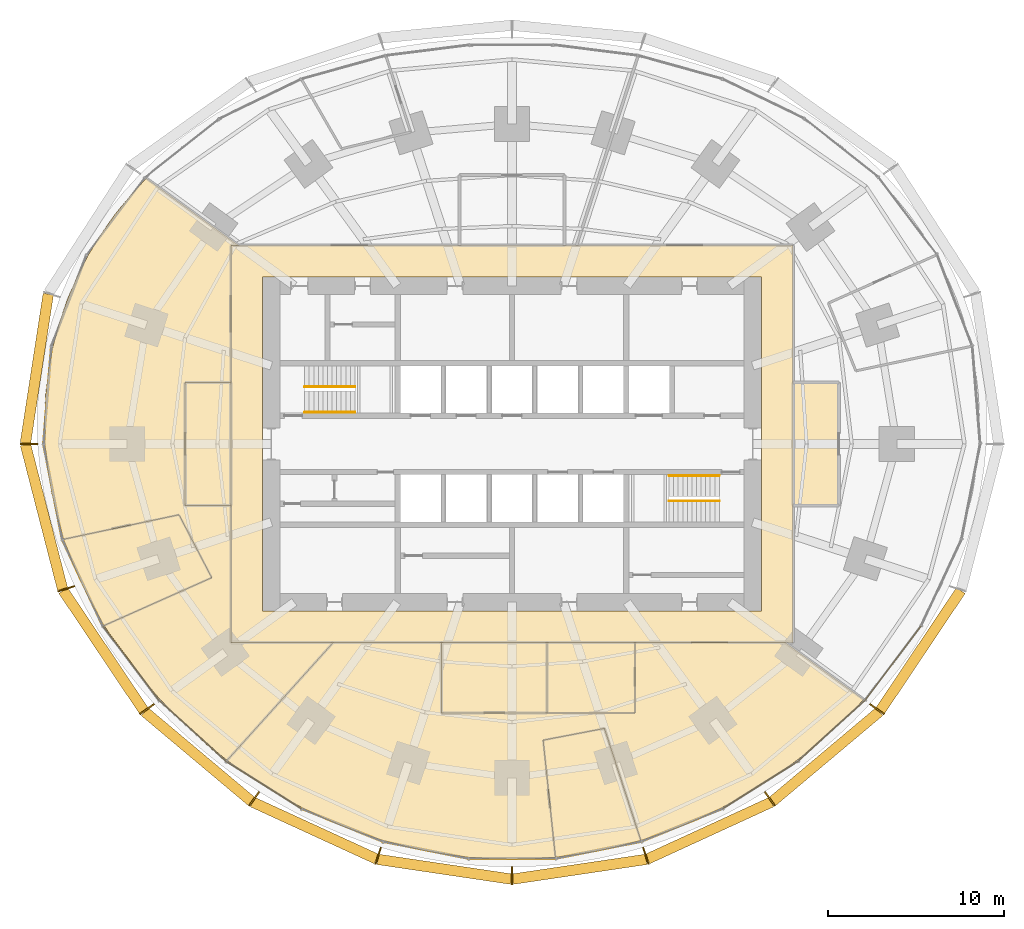
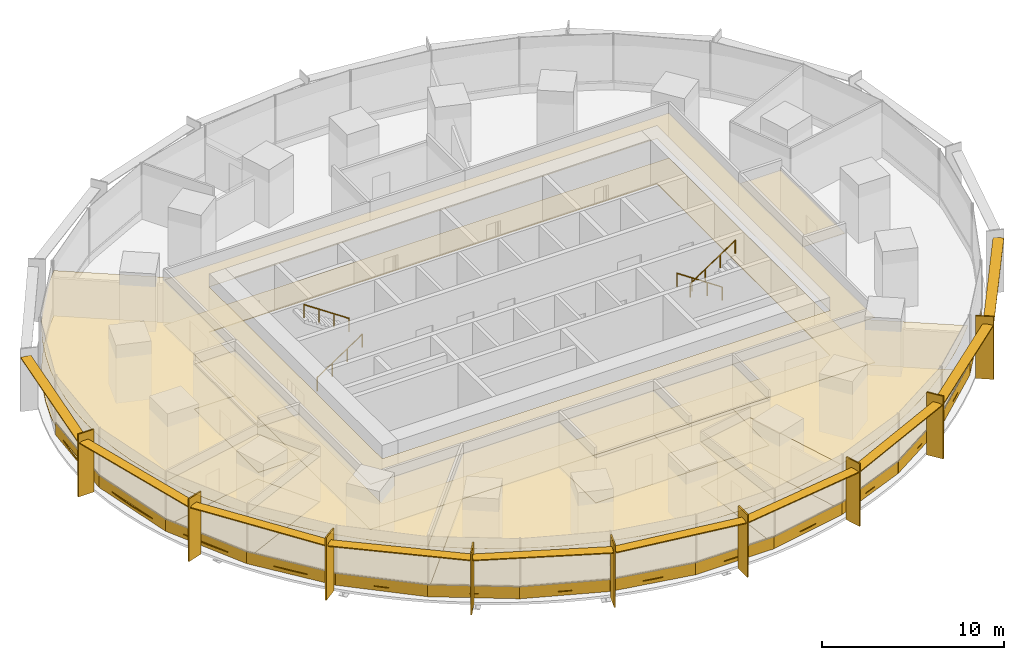
# One storey, part 14 of 15: 31 coverings, 19 shading devices, 4 railings.
"""IFC4 building model written with IfcOpenShell, lengths in metres."""

from ifc_helpers import new_model, si_unit, direction, frame, origin, origin_2d, place, context, subcontext, project, spatial, polyline, rectangle, circle, outline, extrude, material, layer, layer_set, type_object, element, save


model = new_model("IFC4")

# Units and contexts
model_context = context("Model", 3, precision=1e-05, world=origin(), true_north=direction((0.0, 1.0)))
body_context = subcontext(model_context, "Body", "Model", "MODEL_VIEW")
ifc_project = project(units=[si_unit("LENGTHUNIT", "METRE"), si_unit("AREAUNIT", "SQUARE_METRE"), si_unit("VOLUMEUNIT", "CUBIC_METRE"), si_unit("PLANEANGLEUNIT", "RADIAN"), si_unit("MASSUNIT", "GRAM", prefix="KILO")], contexts=[model_context])

# Site, building, storey
site_placement = place(None, origin())
site = spatial("IfcSite", under=ifc_project, at=site_placement, CompositionType="ELEMENT")
building_placement = place(site_placement, origin())
building = spatial("IfcBuilding", under=site, at=building_placement, Name="Marramba Exchange Tower", CompositionType="ELEMENT")
storey_placement = place(building_placement, frame((0.0, 0.0, 74.199951171875)))
storey = spatial("IfcBuildingStorey", under=building, at=storey_placement, Name="L17", CompositionType="ELEMENT", Elevation=74.199951171875)

# Shading devices
ifc_material_1 = material(Name="Aluminium blade, timber-look bronze finish", Category="wood")
ifc_layer_1 = layer(ifc_material_1, 0.080078125)
ifc_layer_set_1 = layer_set([ifc_layer_1], Name="Floor-edge blade 1000x80")
shading_device_type_1 = type_object("IfcShadingDeviceType", Name="Floor-edge blade 1000x80", PredefinedType="USERDEFINED", material=ifc_layer_set_1)
for number, where, z_axis, x_axis, name in (
    (1, (-27.5, 0.0, -0.16015625), (0.0, 0.0, 1.0), (-1.0, 0.0, 0.0), "Floor-edge blade FB1 L17 TC11"),
    (2, (-25.3740234375, -8.24462890625, -0.16015625), (0.0, 0.0, 1.0), (-0.951056516295, -0.309016994375, 0.0), "Floor-edge blade FB1 L17 TC12"),
    (3, (-20.773193359375, -15.092529296875, -0.16015625), (0.0, 0.0, 1.0), (-0.809016994375, -0.587785252292, 0.0), "Floor-edge blade FB1 L17 TC13"),
    (4, (-14.6787109375, -20.20361328125, -0.16015625), (0.0, 0.0, 1.0), (-0.587785252292, -0.809016994375, 0.0), "Floor-edge blade FB1 L17 TC14"),
    (5, (-7.61767578125, -23.444580078125, -0.16015625), (0.0, 0.0, 1.0), (-0.309016994375, -0.951056516295, 0.0), "Floor-edge blade FB1 L17 TC15"),
    (6, (0.0, -24.572021484375, -0.16015625), (0.0, 0.0, 1.0), (0.0, -1.0, 0.0), "Floor-edge blade FB1 L17 TC16"),
    (7, (7.61767578125, -23.444580078125, -0.16015625), (0.0, 0.0, 1.0), (0.309016994375, -0.951056516295, 0.0), "Floor-edge blade FB1 L17 TC17"),
    (8, (14.6787109375, -20.20361328125, -0.16015625), (0.0, 0.0, 1.0), (0.587785252292, -0.809016994375, 0.0), "Floor-edge blade FB1 L17 TC18"),
    (9, (20.773193359375, -15.092529296875, -0.16015625), (0.0, 0.0, 1.0), (0.809016994375, -0.587785252292, 0.0), "Floor-edge blade FB1 L17 TC19"),
):
    element("IfcShadingDevice", number, at=place(storey_placement, frame(where, z_axis=z_axis, x_axis=x_axis)), inside=storey, type_object=shading_device_type_1, Name=name, ObjectType="FIN", PredefinedType="USERDEFINED", context=body_context, shape_type="SweptSolid", body=[
        extrude(rectangle(XDim=1.0, YDim=0.080078125, at=origin_2d()), origin(), (0.0, 0.0, 1.0), 4.199951171875),
    ])

# Coverings
ifc_material_2 = material(Name="Steel raised access floor panels", Category="steel")
ifc_layer_2 = layer(ifc_material_2, 0.050048828125)
ifc_layer_set_2 = layer_set([ifc_layer_2], Name="Raised access floor 300")
covering_type_1 = type_object("IfcCoveringType", Name="Raised access floor 300", PredefinedType="FLOORING", material=ifc_layer_set_2)
covering_1_placement = place(storey_placement, frame((0.0, 0.0, 0.25)))
element("IfcCovering", 10, at=covering_1_placement, inside=storey, type_object=covering_type_1, Name="Raised access floor RAF1 L17 Trading Floor 2", PredefinedType="FLOORING", context=body_context, shape_type="SweptSolid", body=[
    extrude(outline(polyline([(-16.0, 3.5), (-18.60009765625, 3.5), (-18.60009765625, -3.5), (-16.0, -3.5), (-16.0, -11.300048828125), (-10.174560546875, -11.300048828125), (-16.21435546875, -18.0078125), (-17.213623046875, -17.213623046875), (-18.1826171875, -16.371826171875), (-19.119384765625, -15.482421875), (-20.020751953125, -14.5458984375), (-20.88427734375, -13.5625), (-21.7060546875, -12.531982421875), (-22.482177734375, -11.455322265625), (-23.208251953125, -10.3330078125), (-17.08740234375, -7.60791015625), (-18.952880859375, -4.028564453125), (-25.50634765625, -5.421630859375), (-25.9013671875, -4.102294921875), (-26.213623046875, -2.755126953125), (-26.43798828125, -1.385498046875), (-26.570068359375, 0.0), (-26.6064453125, 1.394287109375), (-26.544921875, 2.7900390625), (-26.3837890625, 4.1787109375), (-26.123291015625, 5.552734375), (-25.763916015625, 6.9033203125), (-25.30859375, 8.22314453125), (-24.76025390625, 9.50439453125), (-24.12353515625, 10.740478515625), (-23.40380859375, 11.9248046875), (-22.607177734375, 13.05224609375), (-21.740478515625, 14.118408203125), (-20.810791015625, 15.119873046875), (-16.409912109375, 11.922607421875), (-15.552978515625, 11.300048828125), (-16.0, 11.300048828125), (-16.0, 3.5)])), origin(), (0.0, 0.0, 1.0), 0.050048828125),
])
covering_2_placement = place(storey_placement, frame((0.0, 0.0, 0.25)))
element("IfcCovering", 11, at=covering_2_placement, inside=storey, type_object=covering_type_1, Name="Raised access floor RAF1 L17 Trading Floor 3", PredefinedType="FLOORING", context=body_context, shape_type="SweptSolid", body=[
    extrude(outline(polyline([(20.020751953125, -14.5458984375), (19.119384765625, -15.482421875), (18.1826171875, -16.371826171875), (17.213623046875, -17.213623046875), (16.21435546875, -18.0078125), (15.1865234375, -18.75390625), (14.132080078125, -19.451171875), (13.052490234375, -20.09912109375), (11.94921875, -20.69677734375), (10.82373046875, -21.242919921875), (9.677734375, -21.736328125), (8.512451171875, -22.17578125), (7.330078125, -22.56005859375), (5.259765625, -16.18798828125), (1.771728515625, -16.857177734375), (2.47216796875, -23.5205078125), (1.2373046875, -23.611572265625), (0.0, -23.64208984375), (-1.2373046875, -23.611572265625), (-2.47216796875, -23.5205078125), (-3.701416015625, -23.368896484375), (-4.92236328125, -23.15771484375), (-6.1328125, -22.8876953125), (-7.330078125, -22.56005859375), (-8.512451171875, -22.17578125), (-9.677734375, -21.736328125), (-10.82373046875, -21.242919921875), (-11.94921875, -20.69677734375), (-13.052490234375, -20.09912109375), (-14.132080078125, -19.451171875), (-15.1865234375, -18.75390625), (-16.21435546875, -18.0078125), (-10.174560546875, -11.300048828125), (-4.0, -11.300048828125), (-4.0, -15.300048828125), (2.0, -15.300048828125), (7.0, -15.300048828125), (7.0, -11.300048828125), (15.552978515625, -11.300048828125), (20.020751953125, -14.5458984375)])), origin(), (0.0, 0.0, 1.0), 0.050048828125),
])
covering_3_placement = place(storey_placement, frame((0.0, 0.0, 0.25)))
element("IfcCovering", 12, at=covering_3_placement, inside=storey, type_object=covering_type_1, Name="Raised access floor RAF1 L17 Corridor", PredefinedType="FLOORING", context=body_context, shape_type="SweptSolid", body=[
    extrude(outline(polyline([(-16.0, 11.300048828125), (16.0, 11.300048828125), (16.0, -11.300048828125), (-16.0, -11.300048828125), (-16.0, 11.300048828125)]), holes=[polyline([(-14.199951171875, 9.5), (-14.199951171875, -9.5), (14.199951171875, -9.5), (14.199951171875, 9.5), (-14.199951171875, 9.5)])]), origin(), (0.0, 0.0, 1.0), 0.050048828125),
])
covering_4_placement = place(storey_placement, frame((0.0, 0.0, 0.25)))
element("IfcCovering", 13, at=covering_4_placement, inside=storey, type_object=covering_type_1, Name="Raised access floor RAF1 L17 Firm Principal Office 2", PredefinedType="FLOORING", context=body_context, shape_type="SweptSolid", body=[
    extrude(outline(polyline([(-23.879150390625, -9.166259765625), (-24.489501953125, -7.95703125), (-24.8916015625, -7.0341796875), (-25.033935546875, -6.707763671875), (-25.50634765625, -5.421630859375), (-18.952880859375, -4.028564453125), (-17.08740234375, -7.60791015625), (-23.208251953125, -10.3330078125), (-23.879150390625, -9.166259765625)])), origin(), (0.0, 0.0, 1.0), 0.050048828125),
])
covering_5_placement = place(storey_placement, frame((0.0, 0.0, 0.25)))
element("IfcCovering", 14, at=covering_5_placement, inside=storey, type_object=covering_type_1, Name="Raised access floor RAF1 L17 Firm Principal Office 3", PredefinedType="FLOORING", context=body_context, shape_type="SweptSolid", body=[
    extrude(outline(polyline([(6.1328125, -22.8876953125), (5.89111328125, -22.941650390625), (4.92236328125, -23.15771484375), (4.17138671875, -23.28759765625), (3.701416015625, -23.368896484375), (2.47216796875, -23.5205078125), (1.771728515625, -16.857177734375), (5.259765625, -16.18798828125), (7.330078125, -22.56005859375), (6.1328125, -22.8876953125)])), origin(), (0.0, 0.0, 1.0), 0.050048828125),
])
covering_6_placement = place(storey_placement, frame((0.0, 0.0, 0.25)))
element("IfcCovering", 15, at=covering_6_placement, inside=storey, type_object=covering_type_1, Name="Raised access floor RAF1 L17 Data Room 2", PredefinedType="FLOORING", context=body_context, shape_type="SweptSolid", body=[
    extrude(outline(polyline([(-16.0, -3.5), (-18.60009765625, -3.5), (-18.60009765625, 3.5), (-16.0, 3.5), (-16.0, -3.5)])), origin(), (0.0, 0.0, 1.0), 0.050048828125),
])
covering_7_placement = place(storey_placement, frame((0.0, 0.0, 0.25)))
element("IfcCovering", 16, at=covering_7_placement, inside=storey, type_object=covering_type_1, Name="Raised access floor RAF1 L17 Meeting Room 2", PredefinedType="FLOORING", context=body_context, shape_type="SweptSolid", body=[
    extrude(outline(polyline([(2.0, -15.300048828125), (-4.0, -15.300048828125), (-4.0, -11.300048828125), (2.0, -11.300048828125), (2.0, -15.300048828125)])), origin(), (0.0, 0.0, 1.0), 0.050048828125),
])
covering_8_placement = place(storey_placement, frame((0.0, 0.0, 0.25)))
element("IfcCovering", 17, at=covering_8_placement, inside=storey, type_object=covering_type_1, Name="Raised access floor RAF1 L17 Pantry", PredefinedType="FLOORING", context=body_context, shape_type="SweptSolid", body=[
    extrude(outline(polyline([(7.0, -15.300048828125), (2.0, -15.300048828125), (2.0, -11.300048828125), (7.0, -11.300048828125), (7.0, -15.300048828125)])), origin(), (0.0, 0.0, 1.0), 0.050048828125),
])

# Shading devices
ifc_material_3 = material(Name="Aluminium sunshade, bronze anodised", Category="aluminium")
ifc_layer_3 = layer(ifc_material_3, 0.06005859375)
ifc_layer_set_3 = layer_set([ifc_layer_3], Name="SUNSHADE blade 600x60")
shading_device_type_2 = type_object("IfcShadingDeviceType", Name="SUNSHADE blade 600x60", PredefinedType="USERDEFINED", material=ifc_layer_set_3)
shading_device_1_placement = place(storey_placement, frame((-27.04150390625, 4.2861328125, 3.4599609375), z_axis=(0.0, 0.0, 1.0), x_axis=(-0.151825486228, -0.988407315701, 0.0)))
element("IfcShadingDevice", 18, at=shading_device_1_placement, inside=storey, type_object=shading_device_type_2, Name="Sunshade SS1 L17 bay 10", ObjectType="SUNSHADE", PredefinedType="USERDEFINED", context=body_context, shape_type="SweptSolid", body=[
    extrude(rectangle(XDim=8.593017578125, YDim=0.60009765625, at=origin_2d()), origin(), (0.0, 0.0, 1.0), 0.06005859375),
])
shading_device_2_placement = place(storey_placement, frame((-26.632080078125, -4.153076171875, 3.4599609375), z_axis=(0.0, 0.0, 1.0), x_axis=(0.249024641331, -0.968497149201, 0.0)))
element("IfcShadingDevice", 19, at=shading_device_2_placement, inside=storey, type_object=shading_device_type_2, Name="Sunshade SS1 L17 bay 11", ObjectType="SUNSHADE", PredefinedType="USERDEFINED", context=body_context, shape_type="SweptSolid", body=[
    extrude(rectangle(XDim=8.49658203125, YDim=0.60009765625, at=origin_2d()), origin(), (0.0, 0.0, 1.0), 0.06005859375),
])
shading_device_3_placement = place(storey_placement, frame((-23.24951171875, -11.75830078125, 3.4599609375), z_axis=(0.0, 0.0, 1.0), x_axis=(0.556924164761, -0.830563347798, 0.0)))
element("IfcShadingDevice", 20, at=shading_device_3_placement, inside=storey, type_object=shading_device_type_2, Name="Sunshade SS1 L17 bay 12", ObjectType="SUNSHADE", PredefinedType="USERDEFINED", context=body_context, shape_type="SweptSolid", body=[
    extrude(rectangle(XDim=8.232177734375, YDim=0.60009765625, at=origin_2d()), origin(), (0.0, 0.0, 1.0), 0.06005859375),
])
shading_device_4_placement = place(storey_placement, frame((-17.86572265625, -17.787841796875, 3.4599609375), z_axis=(0.0, 0.0, 1.0), x_axis=(0.765776068523, -0.643107310546, 0.0)))
element("IfcShadingDevice", 21, at=shading_device_4_placement, inside=storey, type_object=shading_device_type_2, Name="Sunshade SS1 L17 bay 13", ObjectType="SUNSHADE", PredefinedType="USERDEFINED", context=body_context, shape_type="SweptSolid", body=[
    extrude(rectangle(XDim=7.936279296875, YDim=0.60009765625, at=origin_2d()), origin(), (0.0, 0.0, 1.0), 0.06005859375),
])
shading_device_5_placement = place(storey_placement, frame((-11.23779296875, -22.0, 3.4599609375), z_axis=(0.0, 0.0, 1.0), x_axis=(0.908703542008, -0.417442059144, 0.0)))
element("IfcShadingDevice", 22, at=shading_device_5_placement, inside=storey, type_object=shading_device_type_2, Name="Sunshade SS1 L17 bay 14", ObjectType="SUNSHADE", PredefinedType="USERDEFINED", context=body_context, shape_type="SweptSolid", body=[
    extrude(rectangle(XDim=7.751953125, YDim=0.60009765625, at=origin_2d()), origin(), (0.0, 0.0, 1.0), 0.06005859375),
])
for number, where, z_axis, x_axis, name in (
    (23, (-3.839599609375, -24.203369140625, 3.4599609375), (0.0, 0.0, 1.0), (0.989212895923, -0.146484970356, 0.0), "Sunshade SS1 L17 bay 15"),
    (24, (3.839599609375, -24.203369140625, 3.4599609375), (0.0, 0.0, 1.0), (0.989212895923, 0.146484970356, 0.0), "Sunshade SS1 L17 bay 16"),
):
    element("IfcShadingDevice", number, at=place(storey_placement, frame(where, z_axis=z_axis, x_axis=x_axis)), inside=storey, type_object=shading_device_type_2, Name=name, ObjectType="SUNSHADE", PredefinedType="USERDEFINED", context=body_context, shape_type="SweptSolid", body=[
        extrude(rectangle(XDim=7.68310546875, YDim=0.60009765625, at=origin_2d()), origin(), (0.0, 0.0, 1.0), 0.06005859375),
    ])
shading_device_6_placement = place(storey_placement, frame((11.23779296875, -22.0, 3.4599609375), z_axis=(0.0, 0.0, 1.0), x_axis=(0.908703542008, 0.417442059144, 0.0)))
element("IfcShadingDevice", 25, at=shading_device_6_placement, inside=storey, type_object=shading_device_type_2, Name="Sunshade SS1 L17 bay 17", ObjectType="SUNSHADE", PredefinedType="USERDEFINED", context=body_context, shape_type="SweptSolid", body=[
    extrude(rectangle(XDim=7.751953125, YDim=0.60009765625, at=origin_2d()), origin(), (0.0, 0.0, 1.0), 0.06005859375),
])
shading_device_7_placement = place(storey_placement, frame((17.86572265625, -17.787841796875, 3.4599609375), z_axis=(0.0, 0.0, 1.0), x_axis=(0.765776068523, 0.643107310546, 0.0)))
element("IfcShadingDevice", 26, at=shading_device_7_placement, inside=storey, type_object=shading_device_type_2, Name="Sunshade SS1 L17 bay 18", ObjectType="SUNSHADE", PredefinedType="USERDEFINED", context=body_context, shape_type="SweptSolid", body=[
    extrude(rectangle(XDim=7.936279296875, YDim=0.60009765625, at=origin_2d()), origin(), (0.0, 0.0, 1.0), 0.06005859375),
])
shading_device_8_placement = place(storey_placement, frame((23.24951171875, -11.75830078125, 3.4599609375), z_axis=(0.0, 0.0, 1.0), x_axis=(0.556924164761, 0.830563347798, 0.0)))
element("IfcShadingDevice", 27, at=shading_device_8_placement, inside=storey, type_object=shading_device_type_2, Name="Sunshade SS1 L17 bay 19", ObjectType="SUNSHADE", PredefinedType="USERDEFINED", context=body_context, shape_type="SweptSolid", body=[
    extrude(rectangle(XDim=8.232177734375, YDim=0.60009765625, at=origin_2d()), origin(), (0.0, 0.0, 1.0), 0.06005859375),
])

# Coverings
ifc_material_4 = material(Name="Aluminium spandrel panel, bronze anodised, insulated", Category="aluminium")
ifc_layer_4 = layer(ifc_material_4, 0.050048828125)
ifc_layer_set_4 = layer_set([ifc_layer_4], Name="Spandrel panel 800")
covering_type_2 = type_object("IfcCoveringType", Name="Spandrel panel 800", PredefinedType="CLADDING", material=ifc_layer_set_4)
covering_9_placement = place(storey_placement, frame((-26.42578125, 2.78466796875, 0.0), z_axis=(0.0, 0.0, 1.0), x_axis=(-0.080275227657, -0.996772736297, 0.0)))
element("IfcCovering", 28, at=covering_9_placement, inside=storey, type_object=covering_type_2, Name="Spandrel panel SP1 L17 F15", PredefinedType="CLADDING", context=body_context, shape_type="SweptSolid", body=[
    extrude(rectangle(XDim=5.58740234375, YDim=0.050048828125, at=origin_2d()), origin(), (0.0, 0.0, 1.0), 0.800048828125),
])
covering_10_placement = place(storey_placement, frame((-26.117431640625, -2.718994140625, 0.0), z_axis=(0.0, 0.0, 1.0), x_axis=(0.19224858127, -0.981346260501, 0.0)))
element("IfcCovering", 29, at=covering_10_placement, inside=storey, type_object=covering_type_2, Name="Spandrel panel SP1 L17 F16", PredefinedType="CLADDING", context=body_context, shape_type="SweptSolid", body=[
    extrude(rectangle(XDim=5.54150390625, YDim=0.050048828125, at=origin_2d()), origin(), (0.0, 0.0, 1.0), 0.800048828125),
])
covering_11_placement = place(storey_placement, frame((-24.432861328125, -7.90185546875, 0.0), z_axis=(0.0, 0.0, 1.0), x_axis=(0.423477213559, -0.905906755464, 0.0)))
element("IfcCovering", 30, at=covering_11_placement, inside=storey, type_object=covering_type_2, Name="Spandrel panel SP1 L17 F17", PredefinedType="CLADDING", context=body_context, shape_type="SweptSolid", body=[
    extrude(rectangle(XDim=5.439208984375, YDim=0.050048828125, at=origin_2d()), origin(), (0.0, 0.0, 1.0), 0.800048828125),
])
covering_12_placement = place(storey_placement, frame((-21.683349609375, -12.479248046875, 0.0), z_axis=(0.0, 0.0, 1.0), x_axis=(0.603040469481, -0.797710594243, 0.0)))
element("IfcCovering", 31, at=covering_12_placement, inside=storey, type_object=covering_type_2, Name="Spandrel panel SP1 L17 F18", PredefinedType="CLADDING", context=body_context, shape_type="SweptSolid", body=[
    extrude(rectangle(XDim=5.299560546875, YDim=0.050048828125, at=origin_2d()), origin(), (0.0, 0.0, 1.0), 0.800048828125),
])
covering_13_placement = place(storey_placement, frame((-18.1767578125, -16.330078125, 0.0), z_axis=(0.0, 0.0, 1.0), x_axis=(0.739589582203, -0.673058132628, 0.0)))
element("IfcCovering", 32, at=covering_13_placement, inside=storey, type_object=covering_type_2, Name="Spandrel panel SP1 L17 F19", PredefinedType="CLADDING", context=body_context, shape_type="SweptSolid", body=[
    extrude(rectangle(XDim=5.161865234375, YDim=0.050048828125, at=origin_2d()), origin(), (0.0, 0.0, 1.0), 0.800048828125),
])
covering_14_placement = place(storey_placement, frame((-14.128662109375, -19.416748046875, 0.0), z_axis=(0.0, 0.0, 1.0), x_axis=(0.845790829799, -0.533514641062, 0.0)))
element("IfcCovering", 33, at=covering_14_placement, inside=storey, type_object=covering_type_2, Name="Spandrel panel SP1 L17 F20", PredefinedType="CLADDING", context=body_context, shape_type="SweptSolid", body=[
    extrude(rectangle(XDim=5.05859375, YDim=0.050048828125, at=origin_2d()), origin(), (0.0, 0.0, 1.0), 0.800048828125),
])
covering_15_placement = place(storey_placement, frame((-9.672119140625, -21.701171875, 0.0), z_axis=(0.0, 0.0, 1.0), x_axis=(0.927340675001, -0.374218215069, 0.0)))
element("IfcCovering", 34, at=covering_15_placement, inside=storey, type_object=covering_type_2, Name="Spandrel panel SP1 L17 F21", PredefinedType="CLADDING", context=body_context, shape_type="SweptSolid", body=[
    extrude(rectangle(XDim=4.99755859375, YDim=0.050048828125, at=origin_2d()), origin(), (0.0, 0.0, 1.0), 0.800048828125),
])
covering_16_placement = place(storey_placement, frame((-4.917724609375, -23.1181640625, 0.0), z_axis=(0.0, 0.0, 1.0), x_axis=(0.981009201842, -0.193961196898, 0.0)))
element("IfcCovering", 35, at=covering_16_placement, inside=storey, type_object=covering_type_2, Name="Spandrel panel SP1 L17 F22", PredefinedType="CLADDING", context=body_context, shape_type="SweptSolid", body=[
    extrude(rectangle(XDim=4.96875, YDim=0.050048828125, at=origin_2d()), origin(), (0.0, 0.0, 1.0), 0.800048828125),
])
covering_17_placement = place(storey_placement, frame((0.0, -23.599853515625, 0.0), z_axis=(0.0, 0.0, 1.0), x_axis=(1.0, 0.0, 0.0)))
element("IfcCovering", 36, at=covering_17_placement, inside=storey, type_object=covering_type_2, Name="Spandrel panel SP1 L17 F23", PredefinedType="CLADDING", context=body_context, shape_type="SweptSolid", body=[
    extrude(rectangle(XDim=4.9609375, YDim=0.050048828125, at=origin_2d()), origin(), (0.0, 0.0, 1.0), 0.800048828125),
])
covering_18_placement = place(storey_placement, frame((4.917724609375, -23.1181640625, 0.0), z_axis=(0.0, 0.0, 1.0), x_axis=(0.981009201842, 0.193961196898, 0.0)))
element("IfcCovering", 37, at=covering_18_placement, inside=storey, type_object=covering_type_2, Name="Spandrel panel SP1 L17 F24", PredefinedType="CLADDING", context=body_context, shape_type="SweptSolid", body=[
    extrude(rectangle(XDim=4.96875, YDim=0.050048828125, at=origin_2d()), origin(), (0.0, 0.0, 1.0), 0.800048828125),
])
covering_19_placement = place(storey_placement, frame((9.672119140625, -21.701171875, 0.0), z_axis=(0.0, 0.0, 1.0), x_axis=(0.927340675001, 0.374218215069, 0.0)))
element("IfcCovering", 38, at=covering_19_placement, inside=storey, type_object=covering_type_2, Name="Spandrel panel SP1 L17 F25", PredefinedType="CLADDING", context=body_context, shape_type="SweptSolid", body=[
    extrude(rectangle(XDim=4.99755859375, YDim=0.050048828125, at=origin_2d()), origin(), (0.0, 0.0, 1.0), 0.800048828125),
])
covering_20_placement = place(storey_placement, frame((14.128662109375, -19.416748046875, 0.0), z_axis=(0.0, 0.0, 1.0), x_axis=(0.845790829799, 0.533514641062, 0.0)))
element("IfcCovering", 39, at=covering_20_placement, inside=storey, type_object=covering_type_2, Name="Spandrel panel SP1 L17 F26", PredefinedType="CLADDING", context=body_context, shape_type="SweptSolid", body=[
    extrude(rectangle(XDim=5.05859375, YDim=0.050048828125, at=origin_2d()), origin(), (0.0, 0.0, 1.0), 0.800048828125),
])
covering_21_placement = place(storey_placement, frame((18.1767578125, -16.330078125, 0.0), z_axis=(0.0, 0.0, 1.0), x_axis=(0.739589582203, 0.673058132628, 0.0)))
element("IfcCovering", 40, at=covering_21_placement, inside=storey, type_object=covering_type_2, Name="Spandrel panel SP1 L17 F27", PredefinedType="CLADDING", context=body_context, shape_type="SweptSolid", body=[
    extrude(rectangle(XDim=5.161865234375, YDim=0.050048828125, at=origin_2d()), origin(), (0.0, 0.0, 1.0), 0.800048828125),
])
covering_22_placement = place(storey_placement, frame((21.683349609375, -12.479248046875, 0.0), z_axis=(0.0, 0.0, 1.0), x_axis=(0.603040469481, 0.797710594243, 0.0)))
element("IfcCovering", 41, at=covering_22_placement, inside=storey, type_object=covering_type_2, Name="Spandrel panel SP1 L17 F28", PredefinedType="CLADDING", context=body_context, shape_type="SweptSolid", body=[
    extrude(rectangle(XDim=5.299560546875, YDim=0.050048828125, at=origin_2d()), origin(), (0.0, 0.0, 1.0), 0.800048828125),
])

# Railings
ifc_material_5 = material(Name="Stainless steel handrail", Category="steel")
railing_type = type_object("IfcRailingType", Name="Stair handrail 900", PredefinedType="HANDRAIL", material=ifc_material_5)
railing_1_placement = place(storey_placement, frame((-11.800048828125, 1.800048828125, 0.175048828125)))
element("IfcRailing", 42, at=railing_1_placement, inside=storey, type_object=railing_type, Name="Handrail HR1 ST1 L17 flight 1", PredefinedType="HANDRAIL", context=body_context, shape_type="SweptSolid", body=[
    extrude(circle(Radius=0.02392578125, at=origin_2d()), frame((0.0, 0.0, 0.8759765625), z_axis=(0.829590901723, 0.0, 0.558371682465), x_axis=(0.0, 1.0, 0.0)), (0.0, 0.0, 1.0), 3.447509765625),
    extrude(circle(Radius=0.02099609375, at=origin_2d()), origin(), (0.0, 0.0, 1.0), 0.851806640625),
    extrude(circle(Radius=0.02099609375, at=origin_2d()), frame((0.953369140625, 0.0, 0.6416015625)), (0.0, 0.0, 1.0), 0.851806640625),
    extrude(circle(Radius=0.02099609375, at=origin_2d()), frame((1.90673828125, 0.0, 1.283447265625)), (0.0, 0.0, 1.0), 0.851806640625),
    extrude(circle(Radius=0.02099609375, at=origin_2d()), frame((2.860107421875, 0.0, 1.925048828125)), (0.0, 0.0, 1.0), 0.851806640625),
])
railing_2_placement = place(storey_placement, frame((-8.93994140625, 3.25, 2.275146484375)))
element("IfcRailing", 43, at=railing_2_placement, inside=storey, type_object=railing_type, Name="Handrail HR1 ST1 L17 flight 2", PredefinedType="HANDRAIL", context=body_context, shape_type="SweptSolid", body=[
    extrude(circle(Radius=0.02392578125, at=origin_2d()), frame((0.0, 0.0, 0.8759765625), z_axis=(-0.829623704247, 0.0, 0.558322943601), x_axis=(0.0, -1.0, 0.0)), (0.0, 0.0, 1.0), 3.447509765625),
    extrude(circle(Radius=0.02099609375, at=origin_2d()), origin(), (0.0, 0.0, 1.0), 0.851806640625),
    extrude(circle(Radius=0.02099609375, at=origin_2d()), frame((-0.953369140625, 0.0, 0.6416015625)), (0.0, 0.0, 1.0), 0.851806640625),
    extrude(circle(Radius=0.02099609375, at=origin_2d()), frame((-1.90673828125, 0.0, 1.283203125)), (0.0, 0.0, 1.0), 0.851806640625),
    extrude(circle(Radius=0.02099609375, at=origin_2d()), frame((-2.860107421875, 0.0, 1.9248046875)), (0.0, 0.0, 1.0), 0.851806640625),
])
railing_3_placement = place(storey_placement, frame((11.800048828125, -1.800048828125, 0.175048828125)))
element("IfcRailing", 44, at=railing_3_placement, inside=storey, type_object=railing_type, Name="Handrail HR1 ST2 L17 flight 1", PredefinedType="HANDRAIL", context=body_context, shape_type="SweptSolid", body=[
    extrude(circle(Radius=0.02392578125, at=origin_2d()), frame((0.0, 0.0, 0.8759765625), z_axis=(-0.829590901723, 0.0, 0.558371682465), x_axis=(0.0, -1.0, 0.0)), (0.0, 0.0, 1.0), 3.447509765625),
    extrude(circle(Radius=0.02099609375, at=origin_2d()), origin(), (0.0, 0.0, 1.0), 0.851806640625),
    extrude(circle(Radius=0.02099609375, at=origin_2d()), frame((-0.953369140625, 0.0, 0.6416015625)), (0.0, 0.0, 1.0), 0.851806640625),
    extrude(circle(Radius=0.02099609375, at=origin_2d()), frame((-1.90673828125, 0.0, 1.283447265625)), (0.0, 0.0, 1.0), 0.851806640625),
    extrude(circle(Radius=0.02099609375, at=origin_2d()), frame((-2.860107421875, 0.0, 1.925048828125)), (0.0, 0.0, 1.0), 0.851806640625),
])
railing_4_placement = place(storey_placement, frame((8.93994140625, -3.25, 2.275146484375)))
element("IfcRailing", 45, at=railing_4_placement, inside=storey, type_object=railing_type, Name="Handrail HR1 ST2 L17 flight 2", PredefinedType="HANDRAIL", context=body_context, shape_type="SweptSolid", body=[
    extrude(circle(Radius=0.02392578125, at=origin_2d()), frame((0.0, 0.0, 0.8759765625), z_axis=(0.829623704247, 0.0, 0.558322943601), x_axis=(0.0, 1.0, 0.0)), (0.0, 0.0, 1.0), 3.447509765625),
    extrude(circle(Radius=0.02099609375, at=origin_2d()), origin(), (0.0, 0.0, 1.0), 0.851806640625),
    extrude(circle(Radius=0.02099609375, at=origin_2d()), frame((0.953369140625, 0.0, 0.6416015625)), (0.0, 0.0, 1.0), 0.851806640625),
    extrude(circle(Radius=0.02099609375, at=origin_2d()), frame((1.90673828125, 0.0, 1.283203125)), (0.0, 0.0, 1.0), 0.851806640625),
    extrude(circle(Radius=0.02099609375, at=origin_2d()), frame((2.860107421875, 0.0, 1.9248046875)), (0.0, 0.0, 1.0), 0.851806640625),
])

# Coverings
ifc_material_6 = material(Name="Mineral fibre ceiling tiles", Category="gypsum")
ifc_layer_5 = layer(ifc_material_6, 0.02001953125)
ifc_layer_set_5 = layer_set([ifc_layer_5], Name="Suspended ceiling 20")
covering_type_3 = type_object("IfcCoveringType", Name="Suspended ceiling 20", PredefinedType="CEILING", material=ifc_layer_set_5)
covering_23_placement = place(storey_placement, frame((0.0, 0.0, 3.300048828125)))
element("IfcCovering", 46, at=covering_23_placement, inside=storey, type_object=covering_type_3, Name="Ceiling CL1 L17 Trading Floor 2", PredefinedType="CEILING", context=body_context, shape_type="SweptSolid", body=[
    extrude(outline(polyline([(-16.0, 3.5), (-18.60009765625, 3.5), (-18.60009765625, -3.5), (-16.0, -3.5), (-16.0, -11.300048828125), (-10.174560546875, -11.300048828125), (-16.21435546875, -18.0078125), (-17.213623046875, -17.213623046875), (-18.1826171875, -16.371826171875), (-19.119384765625, -15.482421875), (-20.020751953125, -14.5458984375), (-20.88427734375, -13.5625), (-21.7060546875, -12.531982421875), (-22.482177734375, -11.455322265625), (-23.208251953125, -10.3330078125), (-17.08740234375, -7.60791015625), (-18.952880859375, -4.028564453125), (-25.50634765625, -5.421630859375), (-25.9013671875, -4.102294921875), (-26.213623046875, -2.755126953125), (-26.43798828125, -1.385498046875), (-26.570068359375, 0.0), (-26.6064453125, 1.394287109375), (-26.544921875, 2.7900390625), (-26.3837890625, 4.1787109375), (-26.123291015625, 5.552734375), (-25.763916015625, 6.9033203125), (-25.30859375, 8.22314453125), (-24.76025390625, 9.50439453125), (-24.12353515625, 10.740478515625), (-23.40380859375, 11.9248046875), (-22.607177734375, 13.05224609375), (-21.740478515625, 14.118408203125), (-20.810791015625, 15.119873046875), (-16.409912109375, 11.922607421875), (-15.552978515625, 11.300048828125), (-16.0, 11.300048828125), (-16.0, 3.5)])), origin(), (0.0, 0.0, 1.0), 0.02001953125),
])
covering_24_placement = place(storey_placement, frame((0.0, 0.0, 3.300048828125)))
element("IfcCovering", 47, at=covering_24_placement, inside=storey, type_object=covering_type_3, Name="Ceiling CL1 L17 Trading Floor 3", PredefinedType="CEILING", context=body_context, shape_type="SweptSolid", body=[
    extrude(outline(polyline([(20.020751953125, -14.5458984375), (19.119384765625, -15.482421875), (18.1826171875, -16.371826171875), (17.213623046875, -17.213623046875), (16.21435546875, -18.0078125), (15.1865234375, -18.75390625), (14.132080078125, -19.451171875), (13.052490234375, -20.09912109375), (11.94921875, -20.69677734375), (10.82373046875, -21.242919921875), (9.677734375, -21.736328125), (8.512451171875, -22.17578125), (7.330078125, -22.56005859375), (5.259765625, -16.18798828125), (1.771728515625, -16.857177734375), (2.47216796875, -23.5205078125), (1.2373046875, -23.611572265625), (0.0, -23.64208984375), (-1.2373046875, -23.611572265625), (-2.47216796875, -23.5205078125), (-3.701416015625, -23.368896484375), (-4.92236328125, -23.15771484375), (-6.1328125, -22.8876953125), (-7.330078125, -22.56005859375), (-8.512451171875, -22.17578125), (-9.677734375, -21.736328125), (-10.82373046875, -21.242919921875), (-11.94921875, -20.69677734375), (-13.052490234375, -20.09912109375), (-14.132080078125, -19.451171875), (-15.1865234375, -18.75390625), (-16.21435546875, -18.0078125), (-10.174560546875, -11.300048828125), (-4.0, -11.300048828125), (-4.0, -15.300048828125), (2.0, -15.300048828125), (7.0, -15.300048828125), (7.0, -11.300048828125), (15.552978515625, -11.300048828125), (20.020751953125, -14.5458984375)])), origin(), (0.0, 0.0, 1.0), 0.02001953125),
])
covering_25_placement = place(storey_placement, frame((0.0, 0.0, 3.300048828125)))
element("IfcCovering", 48, at=covering_25_placement, inside=storey, type_object=covering_type_3, Name="Ceiling CL1 L17 Corridor", PredefinedType="CEILING", context=body_context, shape_type="SweptSolid", body=[
    extrude(outline(polyline([(-16.0, 11.300048828125), (16.0, 11.300048828125), (16.0, -11.300048828125), (-16.0, -11.300048828125), (-16.0, 11.300048828125)]), holes=[polyline([(-14.199951171875, 9.5), (-14.199951171875, -9.5), (14.199951171875, -9.5), (14.199951171875, 9.5), (-14.199951171875, 9.5)])]), origin(), (0.0, 0.0, 1.0), 0.02001953125),
])
covering_26_placement = place(storey_placement, frame((0.0, 0.0, 3.300048828125)))
element("IfcCovering", 49, at=covering_26_placement, inside=storey, type_object=covering_type_3, Name="Ceiling CL1 L17 Firm Principal Office 2", PredefinedType="CEILING", context=body_context, shape_type="SweptSolid", body=[
    extrude(outline(polyline([(-23.879150390625, -9.166259765625), (-24.489501953125, -7.95703125), (-24.8916015625, -7.0341796875), (-25.033935546875, -6.707763671875), (-25.50634765625, -5.421630859375), (-18.952880859375, -4.028564453125), (-17.08740234375, -7.60791015625), (-23.208251953125, -10.3330078125), (-23.879150390625, -9.166259765625)])), origin(), (0.0, 0.0, 1.0), 0.02001953125),
])
covering_27_placement = place(storey_placement, frame((0.0, 0.0, 3.300048828125)))
element("IfcCovering", 50, at=covering_27_placement, inside=storey, type_object=covering_type_3, Name="Ceiling CL1 L17 Firm Principal Office 3", PredefinedType="CEILING", context=body_context, shape_type="SweptSolid", body=[
    extrude(outline(polyline([(6.1328125, -22.8876953125), (5.89111328125, -22.941650390625), (4.92236328125, -23.15771484375), (4.17138671875, -23.28759765625), (3.701416015625, -23.368896484375), (2.47216796875, -23.5205078125), (1.771728515625, -16.857177734375), (5.259765625, -16.18798828125), (7.330078125, -22.56005859375), (6.1328125, -22.8876953125)])), origin(), (0.0, 0.0, 1.0), 0.02001953125),
])
covering_28_placement = place(storey_placement, frame((0.0, 0.0, 3.300048828125)))
element("IfcCovering", 51, at=covering_28_placement, inside=storey, type_object=covering_type_3, Name="Ceiling CL1 L17 Data Room 1", PredefinedType="CEILING", context=body_context, shape_type="SweptSolid", body=[
    extrude(outline(polyline([(18.60009765625, -3.5), (16.0, -3.5), (16.0, 3.5), (18.60009765625, 3.5), (18.60009765625, -3.5)])), origin(), (0.0, 0.0, 1.0), 0.02001953125),
])
covering_29_placement = place(storey_placement, frame((0.0, 0.0, 3.300048828125)))
element("IfcCovering", 52, at=covering_29_placement, inside=storey, type_object=covering_type_3, Name="Ceiling CL1 L17 Data Room 2", PredefinedType="CEILING", context=body_context, shape_type="SweptSolid", body=[
    extrude(outline(polyline([(-16.0, -3.5), (-18.60009765625, -3.5), (-18.60009765625, 3.5), (-16.0, 3.5), (-16.0, -3.5)])), origin(), (0.0, 0.0, 1.0), 0.02001953125),
])
covering_30_placement = place(storey_placement, frame((0.0, 0.0, 3.300048828125)))
element("IfcCovering", 53, at=covering_30_placement, inside=storey, type_object=covering_type_3, Name="Ceiling CL1 L17 Meeting Room 2", PredefinedType="CEILING", context=body_context, shape_type="SweptSolid", body=[
    extrude(outline(polyline([(2.0, -15.300048828125), (-4.0, -15.300048828125), (-4.0, -11.300048828125), (2.0, -11.300048828125), (2.0, -15.300048828125)])), origin(), (0.0, 0.0, 1.0), 0.02001953125),
])
covering_31_placement = place(storey_placement, frame((0.0, 0.0, 3.300048828125)))
element("IfcCovering", 54, at=covering_31_placement, inside=storey, type_object=covering_type_3, Name="Ceiling CL1 L17 Pantry", PredefinedType="CEILING", context=body_context, shape_type="SweptSolid", body=[
    extrude(outline(polyline([(7.0, -15.300048828125), (2.0, -15.300048828125), (2.0, -11.300048828125), (7.0, -11.300048828125), (7.0, -15.300048828125)])), origin(), (0.0, 0.0, 1.0), 0.02001953125),
])

save(model, "model.ifc")
